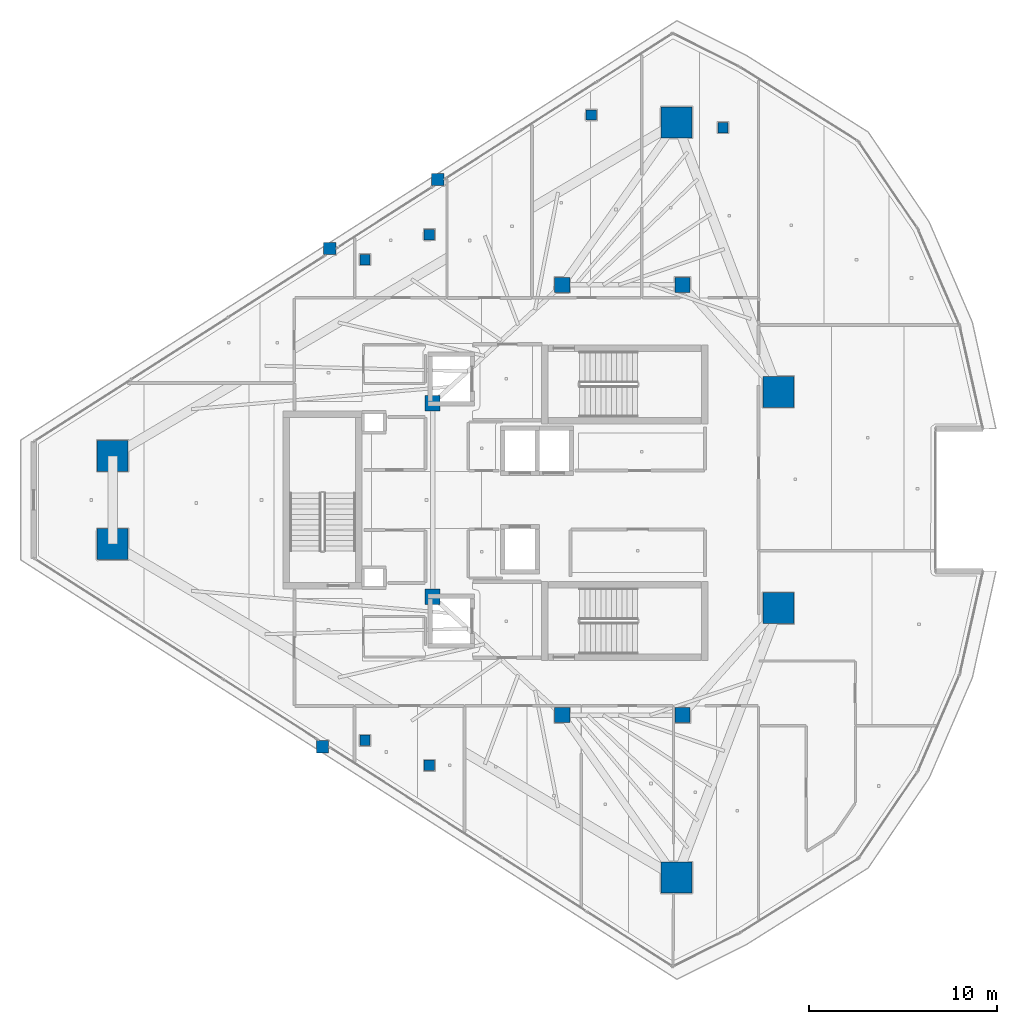
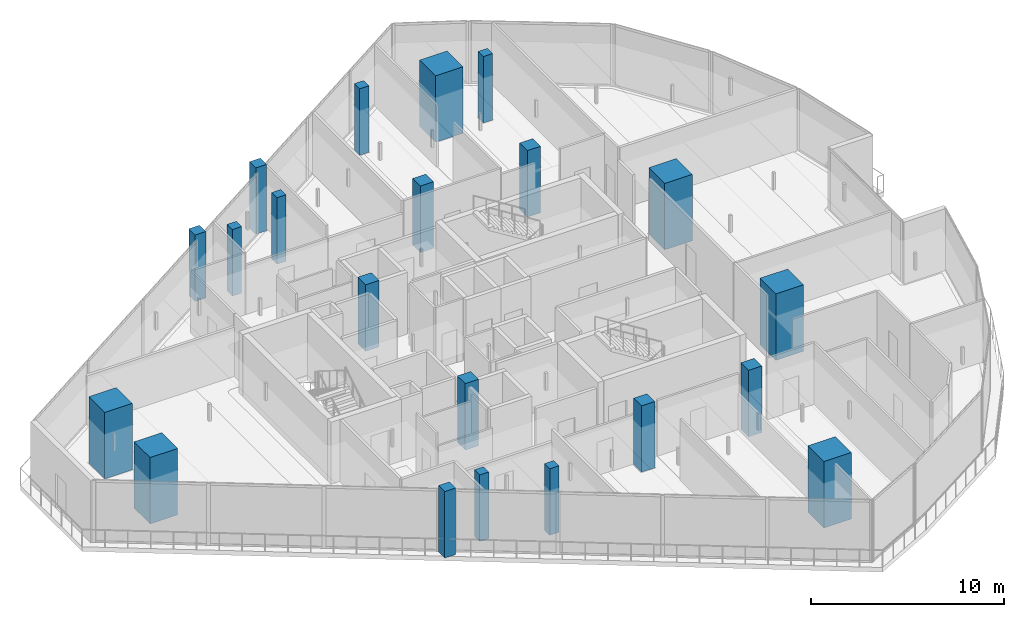
# One storey, part 1 of 33: 21 columns.
"""IFC4 building model written with IfcOpenShell, lengths in metres."""

from ifc_helpers import new_model, si_unit, direction, frame, origin, origin_2d, place, context, subcontext, project, spatial, rectangle, extrude, material, material_profile, profile_set, type_object, element, save


model = new_model("IFC4")

# Units and contexts
model_context = context("Model", 3, precision=1e-05, world=origin(), true_north=direction((0.0, 1.0)))
body_context = subcontext(model_context, "Body", "Model", "MODEL_VIEW")
ifc_project = project(units=[si_unit("LENGTHUNIT", "METRE"), si_unit("AREAUNIT", "SQUARE_METRE"), si_unit("VOLUMEUNIT", "CUBIC_METRE"), si_unit("PLANEANGLEUNIT", "RADIAN"), si_unit("MASSUNIT", "GRAM", prefix="KILO")], contexts=[model_context])

# Site, building, storey
site_placement = place(None, origin())
site = spatial("IfcSite", under=ifc_project, at=site_placement, CompositionType="ELEMENT")
building_placement = place(site_placement, origin())
building = spatial("IfcBuilding", under=site, at=building_placement, Name="Qorvath Tower", CompositionType="ELEMENT")
storey_placement = place(building_placement, frame((0.0, 0.0, 280.800048828125)))
storey = spatial("IfcBuildingStorey", under=building, at=storey_placement, Name="L65", CompositionType="ELEMENT", Elevation=280.800048828125)

# Columns
ifc_material_1 = material(Name="Concrete C60/75", Category="concrete")
ifc_material_profile_1 = material_profile(ifc_material_1, rectangle(XDim=1.64990234375, YDim=1.64990234375, at=origin_2d()), Name="MC 1650x1650")
ifc_profile_set_1 = profile_set([ifc_material_profile_1], Name="Concrete C60/75")
column_type_1 = type_object("IfcColumnType", Name="COL-MC5", PredefinedType="COLUMN", material=ifc_profile_set_1)
for number, where, z_axis, x_axis, name in (
    (1, (-47.53759765625, 2.349609375, 0.0), (0.0, 0.0, 1.0), (1.0, 0.0, 0.0), "Composite Mega-Column MC1 L65"),
    (2, (-47.53759765625, -2.349609375, 0.0), (0.0, 0.0, 1.0), (1.0, 0.0, 0.0), "Composite Mega-Column MC2 L65"),
    (3, (-17.515380859375, -20.1015625, 0.0), (0.0, 0.0, 1.0), (1.0, 0.0, 0.0), "Composite Mega-Column MC3 L65"),
    (4, (-12.0966796875, -5.7578125, 0.0), (0.0, 0.0, 1.0), (1.0, 0.0, 0.0), "Composite Mega-Column MC4 L65"),
    (5, (-12.0966796875, 5.7578125, 0.0), (0.0, 0.0, 1.0), (1.0, 0.0, 0.0), "Composite Mega-Column MC5 L65"),
    (6, (-17.515380859375, 20.1015625, 0.0), (0.0, 0.0, 1.0), (1.0, 0.0, 0.0), "Composite Mega-Column MC6 L65"),
):
    element("IfcColumn", number, at=place(storey_placement, frame(where, z_axis=z_axis, x_axis=x_axis)), inside=storey, type_object=column_type_1, Name=name, PredefinedType="COLUMN", context=body_context, shape_type="SweptSolid", body=[
        extrude(rectangle(XDim=1.64990234375, YDim=1.64990234375, at=origin_2d()), origin(), (0.0, 0.0, 1.0), 4.199951171875),
    ])
ifc_material_2 = material(Name="Concrete C50/60", Category="concrete")
ifc_material_profile_2 = material_profile(ifc_material_2, rectangle(XDim=0.800048828125, YDim=0.800048828125, at=origin_2d()), Name="RC 800x800")
ifc_profile_set_2 = profile_set([ifc_material_profile_2], Name="Concrete C50/60")
column_type_2 = type_object("IfcColumnType", Name="COL-RC4", PredefinedType="COLUMN", material=ifc_profile_set_2)
for number, where, z_axis, x_axis, name in (
    (7, (-23.60009765625, 11.449951171875, 0.0), (0.0, 0.0, 1.0), (1.0, 0.0, 0.0), "Core Spine Column CC1 L65"),
    (8, (-17.199951171875, 11.449951171875, 0.0), (0.0, 0.0, 1.0), (1.0, 0.0, 0.0), "Core Spine Column CC2 L65"),
    (9, (-17.199951171875, -11.449951171875, 0.0), (0.0, 0.0, 1.0), (1.0, 0.0, 0.0), "Core Spine Column CC3 L65"),
    (10, (-23.60009765625, -11.449951171875, 0.0), (0.0, 0.0, 1.0), (1.0, 0.0, 0.0), "Core Spine Column CC4 L65"),
    (11, (-30.5, 5.14990234375, 0.0), (0.0, 0.0, 1.0), (1.0, 0.0, 0.0), "Core Spine Column CC5 L65"),
    (12, (-30.5, -5.14990234375, 0.0), (0.0, 0.0, 1.0), (1.0, 0.0, 0.0), "Core Spine Column CC6 L65"),
):
    element("IfcColumn", number, at=place(storey_placement, frame(where, z_axis=z_axis, x_axis=x_axis)), inside=storey, type_object=column_type_2, Name=name, PredefinedType="COLUMN", context=body_context, shape_type="SweptSolid", body=[
        extrude(rectangle(XDim=0.800048828125, YDim=0.800048828125, at=origin_2d()), origin(), (0.0, 0.0, 1.0), 4.199951171875),
    ])
ifc_material_3 = material(Name="Concrete C45/55", Category="concrete")
ifc_material_profile_3 = material_profile(ifc_material_3, rectangle(XDim=0.64990234375, YDim=0.64990234375, at=origin_2d()), Name="RC 650x650")
ifc_profile_set_3 = profile_set([ifc_material_profile_3], Name="Concrete C45/55")
column_type_3 = type_object("IfcColumnType", Name="COL-RC6", PredefinedType="COLUMN", material=ifc_profile_set_3)
for number, where, z_axis, x_axis, name in (
    (13, (-35.980712890625, 13.380859375, 0.0), (0.0, 0.0, 1.0), (1.0, 0.0, 0.0), "Loggia Frame Pier Column LGF1 L65"),
    (14, (-36.36474609375, -13.135498046875, 0.0), (0.0, 0.0, 1.0), (1.0, 0.0, 0.0), "Loggia Frame Pier Column LGF2 L65"),
    (15, (-30.224853515625, 17.0595703125, 0.0), (0.0, 0.0, 1.0), (1.0, 0.0, 0.0), "Loggia Frame Pier Column LGF3 L65"),
):
    element("IfcColumn", number, at=place(storey_placement, frame(where, z_axis=z_axis, x_axis=x_axis)), inside=storey, type_object=column_type_3, Name=name, PredefinedType="COLUMN", context=body_context, shape_type="SweptSolid", body=[
        extrude(rectangle(XDim=0.64990234375, YDim=0.64990234375, at=origin_2d()), origin(), (0.0, 0.0, 1.0), 4.199951171875),
    ])
ifc_material_4 = material(Name="Concrete C45/55", Category="concrete")
ifc_material_profile_4 = material_profile(ifc_material_4, rectangle(XDim=0.550048828125, YDim=0.550048828125, at=origin_2d()), Name="RC 550x550")
ifc_profile_set_4 = profile_set([ifc_material_profile_4], Name="Concrete C45/55")
column_type_4 = type_object("IfcColumnType", Name="COL-RC7", PredefinedType="COLUMN", material=ifc_profile_set_4)
for number, where, z_axis, x_axis, name in (
    (16, (-34.104248046875, 12.79248046875, 0.0), (0.0, 0.0, 1.0), (1.0, 0.0, 0.0), "Loggia Frame Pier Column LGG1 L65"),
    (17, (-34.104248046875, -12.79248046875, 0.0), (0.0, 0.0, 1.0), (1.0, 0.0, 0.0), "Loggia Frame Pier Column LGG2 L65"),
    (18, (-22.05322265625, 20.494873046875, 0.0), (0.0, 0.0, 1.0), (1.0, 0.0, 0.0), "Loggia Frame Pier Column LGG3 L65"),
    (19, (-30.67724609375, 14.124267578125, 0.0), (0.0, 0.0, 1.0), (1.0, 0.0, 0.0), "Loggia Frame Pier Column LGH1 L65"),
    (20, (-30.67724609375, -14.124267578125, 0.0), (0.0, 0.0, 1.0), (1.0, 0.0, 0.0), "Loggia Frame Pier Column LGH2 L65"),
    (21, (-15.046142578125, 19.818115234375, 0.0), (0.0, 0.0, 1.0), (1.0, 0.0, 0.0), "Loggia Frame Pier Column LGH3 L65"),
):
    element("IfcColumn", number, at=place(storey_placement, frame(where, z_axis=z_axis, x_axis=x_axis)), inside=storey, type_object=column_type_4, Name=name, PredefinedType="COLUMN", context=body_context, shape_type="SweptSolid", body=[
        extrude(rectangle(XDim=0.550048828125, YDim=0.550048828125, at=origin_2d()), origin(), (0.0, 0.0, 1.0), 4.199951171875),
    ])

save(model, "model.ifc")
